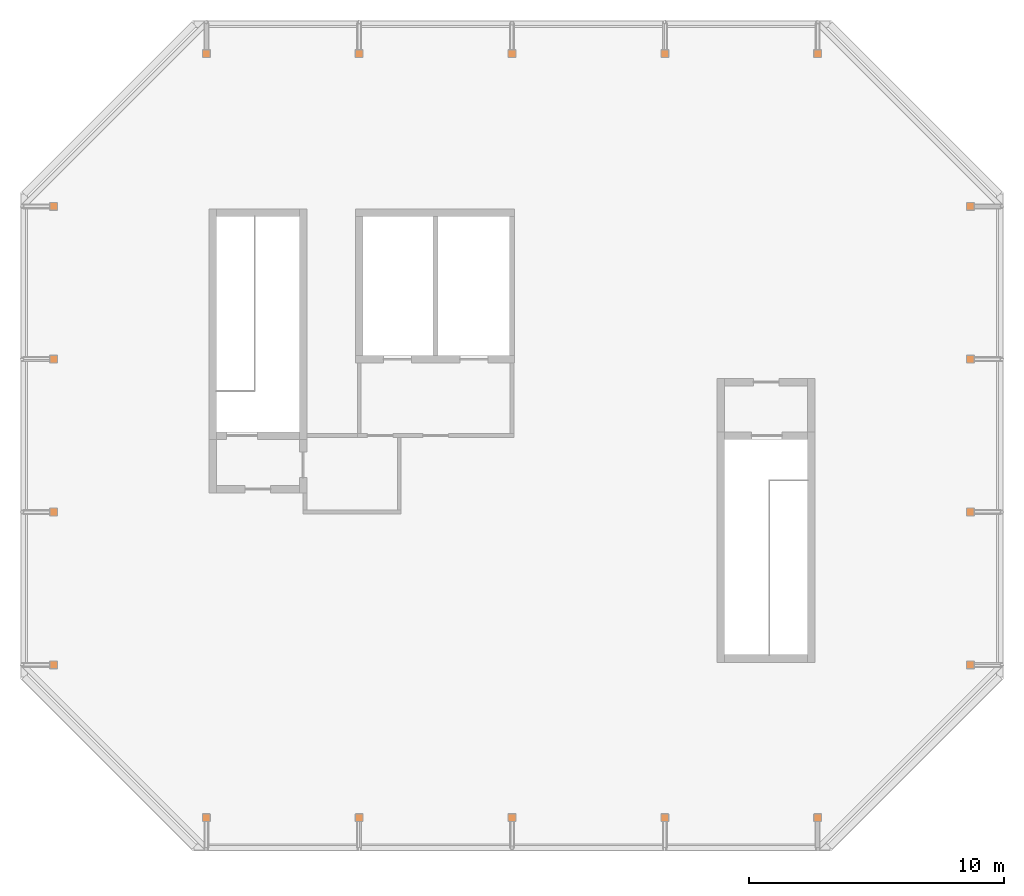
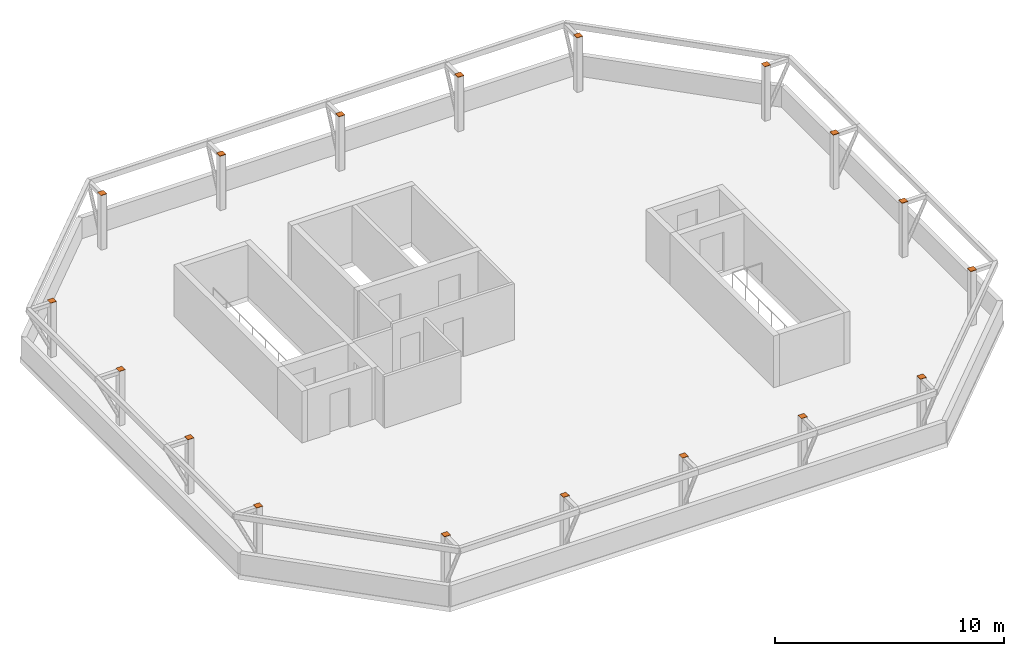
# One storey, part 6 of 6: 18 proxies.
"""IFC4 building model written with IfcOpenShell, lengths in metres."""

from ifc_helpers import new_model, si_unit, direction, frame, origin, origin_2d, place, context, subcontext, project, spatial, rectangle, extrude, material, type_object, element, save


model = new_model("IFC4")

# Units and contexts
model_context = context("Model", 3, precision=1e-05, world=origin(), true_north=direction((0.0, 1.0)))
body_context = subcontext(model_context, "Body", "Model", "MODEL_VIEW")
ifc_project = project(units=[si_unit("LENGTHUNIT", "METRE"), si_unit("AREAUNIT", "SQUARE_METRE"), si_unit("VOLUMEUNIT", "CUBIC_METRE"), si_unit("PLANEANGLEUNIT", "RADIAN"), si_unit("MASSUNIT", "GRAM", prefix="KILO")], contexts=[model_context])

# Site, building, storey
site_placement = place(None, origin())
site = spatial("IfcSite", under=ifc_project, at=site_placement, CompositionType="ELEMENT")
building_placement = place(site_placement, origin())
building = spatial("IfcBuilding", under=site, at=building_placement, Name="Highveld Stack Headquarters", CompositionType="ELEMENT")
storey_placement = place(building_placement, frame((0.0, 0.0, 305.699951171875)))
storey = spatial("IfcBuildingStorey", under=building, at=storey_placement, Name="RF", CompositionType="ELEMENT", Elevation=305.699951171875)

# Proxies
ifc_material = material(Name="Steel S355JR", Category="steel")
building_element_proxy_type = type_object("IfcBuildingElementProxyType", Name="LANTERN POST CAP PLATE 300x300x20", PredefinedType="USERDEFINED", material=ifc_material)
for number, where, z_axis, x_axis, name in (
    (1, (-12.0, -6.0, 2.900146484375), (0.0, 0.0, 1.0), (1.0, 0.0, 0.0), "Lantern post cap plate 4/D"),
    (2, (-12.0, 0.0, 2.900146484375), (0.0, 0.0, 1.0), (1.0, 0.0, 0.0), "Lantern post cap plate 4/E"),
    (3, (-12.0, 6.0, 2.900146484375), (0.0, 0.0, 1.0), (1.0, 0.0, 0.0), "Lantern post cap plate 4/F"),
    (4, (-12.0, 12.0, 2.900146484375), (0.0, 0.0, 1.0), (1.0, 0.0, 0.0), "Lantern post cap plate 4/G"),
    (5, (-6.0, -12.0, 2.900146484375), (0.0, 0.0, 1.0), (1.0, 0.0, 0.0), "Lantern post cap plate 5/C"),
    (6, (-6.0, 18.0, 2.900146484375), (0.0, 0.0, 1.0), (1.0, 0.0, 0.0), "Lantern post cap plate 5/H"),
    (7, (0.0, -12.0, 2.900146484375), (0.0, 0.0, 1.0), (1.0, 0.0, 0.0), "Lantern post cap plate 6/C"),
    (8, (0.0, 18.0, 2.900146484375), (0.0, 0.0, 1.0), (1.0, 0.0, 0.0), "Lantern post cap plate 6/H"),
    (9, (6.0, -12.0, 2.900146484375), (0.0, 0.0, 1.0), (1.0, 0.0, 0.0), "Lantern post cap plate 7/C"),
    (10, (6.0, 18.0, 2.900146484375), (0.0, 0.0, 1.0), (1.0, 0.0, 0.0), "Lantern post cap plate 7/H"),
    (11, (12.0, -12.0, 2.900146484375), (0.0, 0.0, 1.0), (1.0, 0.0, 0.0), "Lantern post cap plate 8/C"),
    (12, (12.0, 18.0, 2.900146484375), (0.0, 0.0, 1.0), (1.0, 0.0, 0.0), "Lantern post cap plate 8/H"),
    (13, (18.0, -12.0, 2.900146484375), (0.0, 0.0, 1.0), (1.0, 0.0, 0.0), "Lantern post cap plate 9/C"),
    (14, (18.0, 18.0, 2.900146484375), (0.0, 0.0, 1.0), (1.0, 0.0, 0.0), "Lantern post cap plate 9/H"),
    (15, (24.0, -6.0, 2.900146484375), (0.0, 0.0, 1.0), (1.0, 0.0, 0.0), "Lantern post cap plate 10/D"),
    (16, (24.0, 0.0, 2.900146484375), (0.0, 0.0, 1.0), (1.0, 0.0, 0.0), "Lantern post cap plate 10/E"),
    (17, (24.0, 6.0, 2.900146484375), (0.0, 0.0, 1.0), (1.0, 0.0, 0.0), "Lantern post cap plate 10/F"),
    (18, (24.0, 12.0, 2.900146484375), (0.0, 0.0, 1.0), (1.0, 0.0, 0.0), "Lantern post cap plate 10/G"),
):
    element("IfcBuildingElementProxy", number, at=place(storey_placement, frame(where, z_axis=z_axis, x_axis=x_axis)), inside=storey, type_object=building_element_proxy_type, Name=name, ObjectType="LANTERN POST CAP PLATE", PredefinedType="USERDEFINED", context=body_context, shape_type="SweptSolid", body=[
        extrude(rectangle(XDim=0.300048828125, YDim=0.300048828125, at=origin_2d()), origin(), (0.0, 0.0, 1.0), 0.02001953125),
    ])

save(model, "model.ifc")
